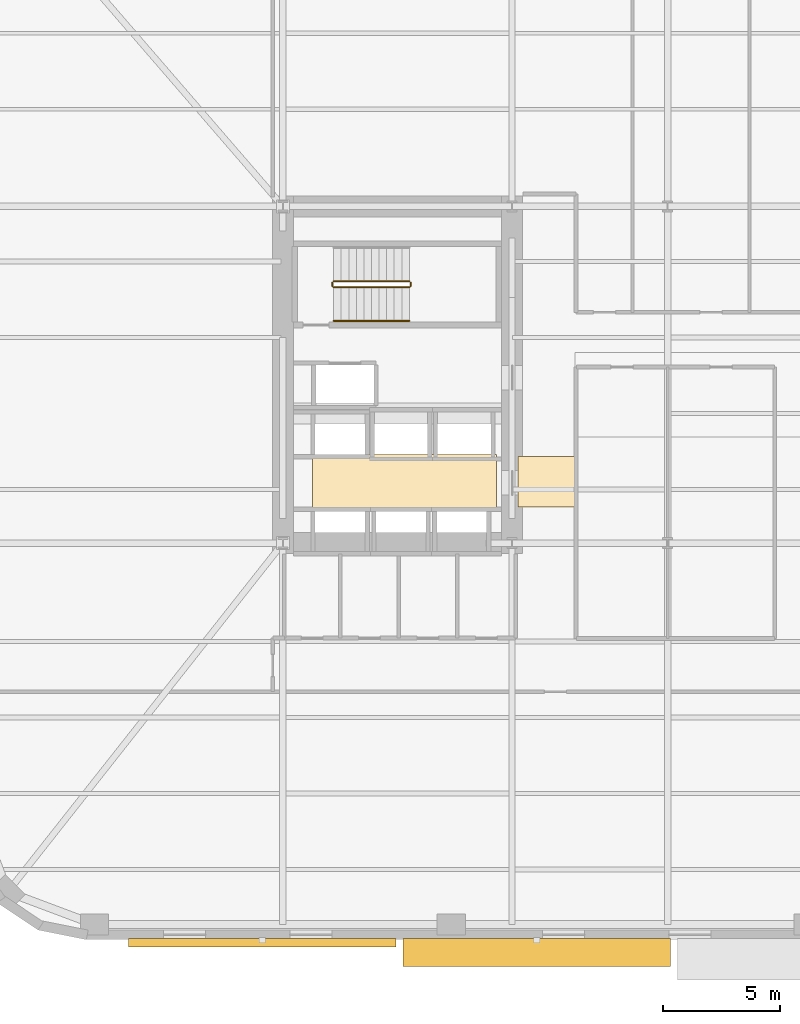
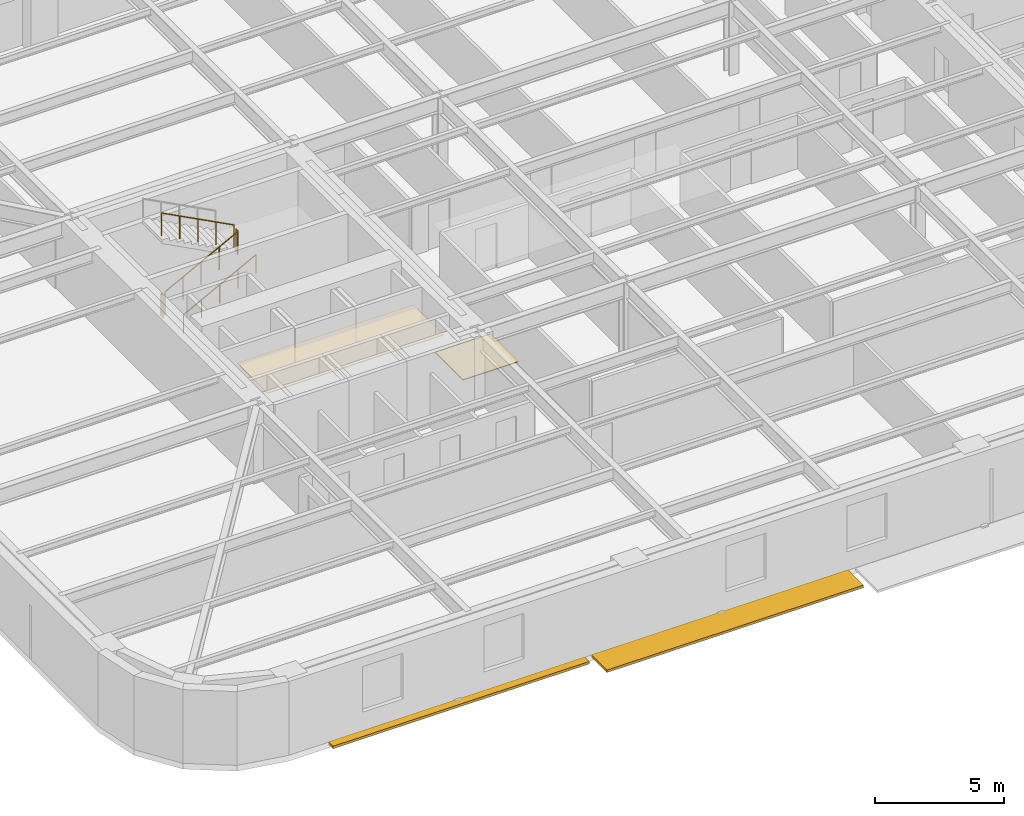
# One storey, part 9 of 14: 5 railings, 2 coverings, 2 shading devices.
"""IFC4 building model written with IfcOpenShell, lengths in metres."""

from ifc_helpers import new_model, si_unit, direction, frame, origin, origin_2d, place, context, subcontext, project, spatial, polyline, rectangle, circle, outline, extrude, material, layer, layer_set, type_object, element, save


model = new_model("IFC4")

# Units and contexts
model_context = context("Model", 3, precision=1e-05, world=origin(), true_north=direction((0.0, 1.0)))
body_context = subcontext(model_context, "Body", "Model", "MODEL_VIEW")
ifc_project = project(units=[si_unit("LENGTHUNIT", "METRE"), si_unit("AREAUNIT", "SQUARE_METRE"), si_unit("VOLUMEUNIT", "CUBIC_METRE"), si_unit("PLANEANGLEUNIT", "RADIAN"), si_unit("MASSUNIT", "GRAM", prefix="KILO")], contexts=[model_context])

# Site, building, storey
site_placement = place(None, origin())
site = spatial("IfcSite", under=ifc_project, at=site_placement, CompositionType="ELEMENT")
building_placement = place(site_placement, origin())
building = spatial("IfcBuilding", under=site, at=building_placement, Name="Kolvaren Arena Tower", CompositionType="ELEMENT")
storey_placement = place(building_placement, frame((0.0, 0.0, 87.0)))
storey = spatial("IfcBuildingStorey", under=building, at=storey_placement, Name="L19", CompositionType="ELEMENT", Elevation=87.0)

# Coverings
ifc_material_1 = material(Name="Moisture-resistant gypsum ceiling", Category="gypsum")
ifc_layer_1 = layer(ifc_material_1, 0.030029296875)
ifc_layer_set_1 = layer_set([ifc_layer_1], Name="Moisture-resistant gypsum ceiling")
covering_type_1 = type_object("IfcCoveringType", Name="CEIL-GYP-1", PredefinedType="CEILING", material=ifc_layer_set_1)
covering_1_placement = place(storey_placement, frame((0.0, 0.0, 2.52001953125)))
element("IfcCovering", 1, at=covering_1_placement, inside=storey, type_object=covering_type_1, Name="Suspended Ceiling (L19)", PredefinedType="CEILING", context=body_context, shape_type="SweptSolid", body=[
    extrude(outline(polyline([(15.820068359375, 20.89990234375), (15.820068359375, 23.239990234375), (23.679931640625, 23.239990234375), (23.679931640625, 20.89990234375), (15.820068359375, 20.89990234375)])), origin(), (0.0, 0.0, 1.0), 0.030029296875),
])
ifc_material_2 = material(Name="Raised access office floor finish", Category="aluminium")
ifc_layer_2 = layer(ifc_material_2, 0.044921875)
ifc_layer_set_2 = layer_set([ifc_layer_2], Name="Raised access office floor finish")
covering_type_2 = type_object("IfcCoveringType", Name="FLOR-RAF-1", PredefinedType="FLOORING", material=ifc_layer_set_2)
covering_2_placement = place(storey_placement, origin())
element("IfcCovering", 2, at=covering_2_placement, inside=storey, type_object=covering_type_2, Name="Floor Finish (L19)", PredefinedType="FLOORING", context=body_context, shape_type="SweptSolid", body=[
    extrude(outline(polyline([(24.60009765625, 21.0), (24.60009765625, 23.14990234375), (27.080078125, 23.14990234375), (27.080078125, 21.0), (24.60009765625, 21.0)])), origin(), (0.0, 0.0, 1.0), 0.044921875),
])

# Railings
ifc_material_3 = material(Name="Painted galvanized steel", Category="steel")
railing_type_1 = type_object("IfcRailingType", Name="GUARD-ST-110", PredefinedType="GUARDRAIL", material=ifc_material_3)
railing_1_placement = place(storey_placement, frame((16.719970703125, 30.389892578125, 0.17041015625)))
element("IfcRailing", 3, at=railing_1_placement, inside=storey, type_object=railing_type_1, Name="L19 ST-W1 stair guard 1", PredefinedType="GUARDRAIL", context=body_context, shape_type="SweptSolid", body=[
    extrude(circle(Radius=0.02392578125, at=origin_2d()), frame((0.0, 0.0, 1.076171875), z_axis=(0.884993431791, 0.0, 0.465603506952), x_axis=(0.0, 1.0, 0.0)), (0.0, 0.0, 1.0), 3.6611328125),
    extrude(circle(Radius=0.02099609375, at=origin_2d()), origin(), (0.0, 0.0, 1.0), 1.052001953125),
    extrude(circle(Radius=0.02099609375, at=origin_2d()), frame((0.81005859375, 0.0, 0.42626953125)), (0.0, 0.0, 1.0), 1.052001953125),
    extrude(circle(Radius=0.02099609375, at=origin_2d()), frame((1.6201171875, 0.0, 0.852294921875)), (0.0, 0.0, 1.0), 1.052001953125),
    extrude(circle(Radius=0.02099609375, at=origin_2d()), frame((2.429931640625, 0.0, 1.2783203125)), (0.0, 0.0, 1.0), 1.052001953125),
    extrude(circle(Radius=0.02099609375, at=origin_2d()), frame((3.239990234375, 0.0, 1.70458984375)), (0.0, 0.0, 1.0), 1.052001953125),
])
railing_2_placement = place(storey_placement, frame((20.010009765625, 30.43994140625, 1.875)))
element("IfcRailing", 4, at=railing_2_placement, inside=storey, type_object=railing_type_1, Name="L19 ST-W1 stair guard 2", PredefinedType="GUARDRAIL", context=body_context, shape_type="SweptSolid", body=[
    extrude(circle(Radius=0.02392578125, at=origin_2d()), frame((0.0, 0.0, 1.076171875), z_axis=(0.0, 1.0, 0.0), x_axis=(-1.0, 0.0, 0.0)), (0.0, 0.0, 1.0), 0.150146484375),
    extrude(circle(Radius=0.02099609375, at=origin_2d()), origin(), (0.0, 0.0, 1.0), 1.052001953125),
    extrude(circle(Radius=0.02099609375, at=origin_2d()), frame((0.0, 0.150146484375, 0.0)), (0.0, 0.0, 1.0), 1.052001953125),
])
railing_3_placement = place(storey_placement, frame((19.9599609375, 30.639892578125, 2.04541015625)))
element("IfcRailing", 5, at=railing_3_placement, inside=storey, type_object=railing_type_1, Name="L19 ST-W1 stair guard 3", PredefinedType="GUARDRAIL", context=body_context, shape_type="SweptSolid", body=[
    extrude(circle(Radius=0.02392578125, at=origin_2d()), frame((0.0, 0.0, 1.076171875), z_axis=(-0.884993431791, 0.0, 0.465603506952), x_axis=(0.0, -1.0, 0.0)), (0.0, 0.0, 1.0), 3.6611328125),
    extrude(circle(Radius=0.02099609375, at=origin_2d()), origin(), (0.0, 0.0, 1.0), 1.052001953125),
    extrude(circle(Radius=0.02099609375, at=origin_2d()), frame((-0.81005859375, 0.0, 0.42626953125)), (0.0, 0.0, 1.0), 1.052001953125),
    extrude(circle(Radius=0.02099609375, at=origin_2d()), frame((-1.6201171875, 0.0, 0.852294921875)), (0.0, 0.0, 1.0), 1.052001953125),
    extrude(circle(Radius=0.02099609375, at=origin_2d()), frame((-2.429931640625, 0.0, 1.2783203125)), (0.0, 0.0, 1.0), 1.052001953125),
    extrude(circle(Radius=0.02099609375, at=origin_2d()), frame((-3.239990234375, 0.0, 1.70458984375)), (0.0, 0.0, 1.0), 1.052001953125),
])
railing_4_placement = place(storey_placement, frame((16.669921875, 30.43994140625, 0.0)))
element("IfcRailing", 6, at=railing_4_placement, inside=storey, type_object=railing_type_1, Name="L19 ST-W1 stair guard 4", PredefinedType="GUARDRAIL", context=body_context, shape_type="SweptSolid", body=[
    extrude(circle(Radius=0.02392578125, at=origin_2d()), frame((0.0, 0.0, 1.076171875), z_axis=(0.0, 1.0, 0.0), x_axis=(-1.0, 0.0, 0.0)), (0.0, 0.0, 1.0), 0.150146484375),
    extrude(circle(Radius=0.02099609375, at=origin_2d()), origin(), (0.0, 0.0, 1.0), 1.052001953125),
    extrude(circle(Radius=0.02099609375, at=origin_2d()), frame((0.0, 0.150146484375, 0.0)), (0.0, 0.0, 1.0), 1.052001953125),
])
ifc_material_4 = material(Name="Brushed stainless steel handrail", Category="steel")
railing_type_2 = type_object("IfcRailingType", Name="HRAIL-900", PredefinedType="HANDRAIL", material=ifc_material_4)
railing_5_placement = place(storey_placement, frame((16.719970703125, 28.949951171875, 0.17041015625)))
element("IfcRailing", 7, at=railing_5_placement, inside=storey, type_object=railing_type_2, Name="L19 ST-W1 stair handrail 1", PredefinedType="HANDRAIL", context=body_context, shape_type="SweptSolid", body=[
    extrude(circle(Radius=0.02392578125, at=origin_2d()), frame((0.0, 0.0, 0.8759765625), z_axis=(0.884993431791, 0.0, 0.465603506952), x_axis=(0.0, 1.0, 0.0)), (0.0, 0.0, 1.0), 3.6611328125),
    extrude(circle(Radius=0.02099609375, at=origin_2d()), origin(), (0.0, 0.0, 1.0), 0.851806640625),
    extrude(circle(Radius=0.02099609375, at=origin_2d()), frame((0.81005859375, 0.0, 0.42626953125)), (0.0, 0.0, 1.0), 0.851806640625),
    extrude(circle(Radius=0.02099609375, at=origin_2d()), frame((1.6201171875, 0.0, 0.852294921875)), (0.0, 0.0, 1.0), 0.851806640625),
    extrude(circle(Radius=0.02099609375, at=origin_2d()), frame((2.429931640625, 0.0, 1.2783203125)), (0.0, 0.0, 1.0), 0.851806640625),
    extrude(circle(Radius=0.02099609375, at=origin_2d()), frame((3.239990234375, 0.0, 1.70458984375)), (0.0, 0.0, 1.0), 0.851806640625),
])

# Shading devices
ifc_material_5 = material(Name="Architectural precast GFRC and anodised aluminium sunshade", Category="concrete")
shading_device_type = type_object("IfcShadingDeviceType", Name="SHAD-SINE-A", PredefinedType="USERDEFINED", material=ifc_material_5)
shading_device_1_placement = place(storey_placement, frame((25.409912109375, 1.9501953125, -0.14013671875), z_axis=(0.0, 0.0, 1.0), x_axis=(-1.0, 0.0, 0.0)))
element("IfcShadingDevice", 8, at=shading_device_1_placement, inside=storey, type_object=shading_device_type, Name="Sinusoidal Slab-Edge Sunshade Louvre (L19)", ObjectType="LOUVRE", PredefinedType="USERDEFINED", context=body_context, shape_type="SweptSolid", body=[
    extrude(rectangle(XDim=11.43994140625, YDim=1.19970703125, at=origin_2d()), origin(), (0.0, 0.0, 1.0), 0.1201171875),
])
shading_device_2_placement = place(storey_placement, frame((13.669921875, 2.3740234375, -0.14013671875), z_axis=(0.0, 0.0, 1.0), x_axis=(-1.0, 0.0, 0.0)))
element("IfcShadingDevice", 9, at=shading_device_2_placement, inside=storey, type_object=shading_device_type, Name="Sinusoidal Slab-Edge Sunshade Louvre (L19)", ObjectType="LOUVRE", PredefinedType="USERDEFINED", context=body_context, shape_type="SweptSolid", body=[
    extrude(rectangle(XDim=11.43994140625, YDim=0.351806640625, at=origin_2d()), origin(), (0.0, 0.0, 1.0), 0.1201171875),
])

save(model, "model.ifc")
